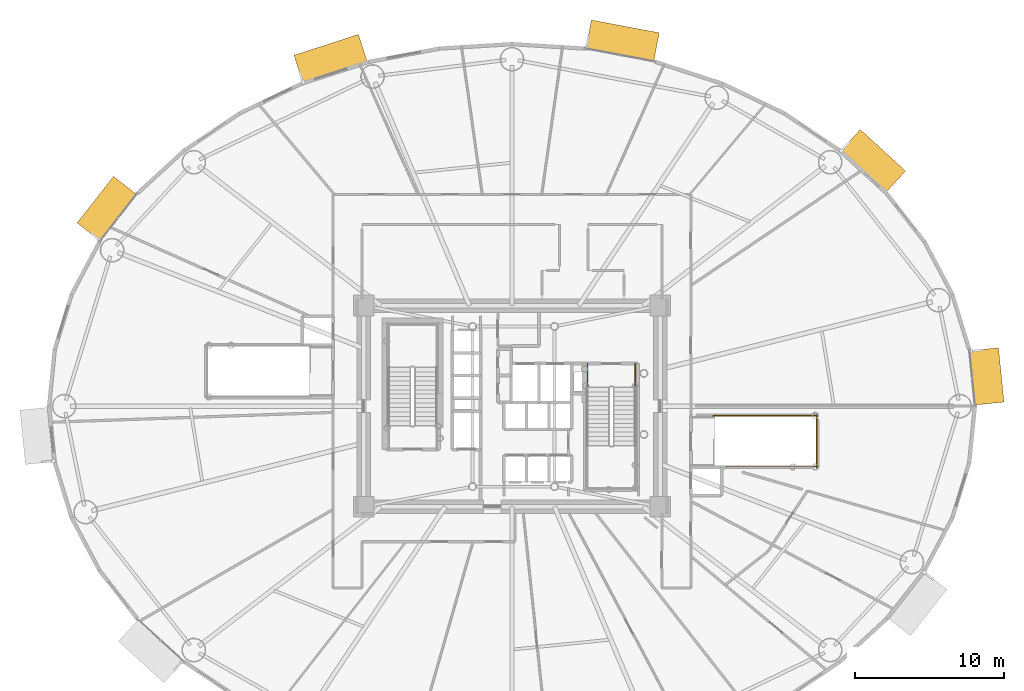
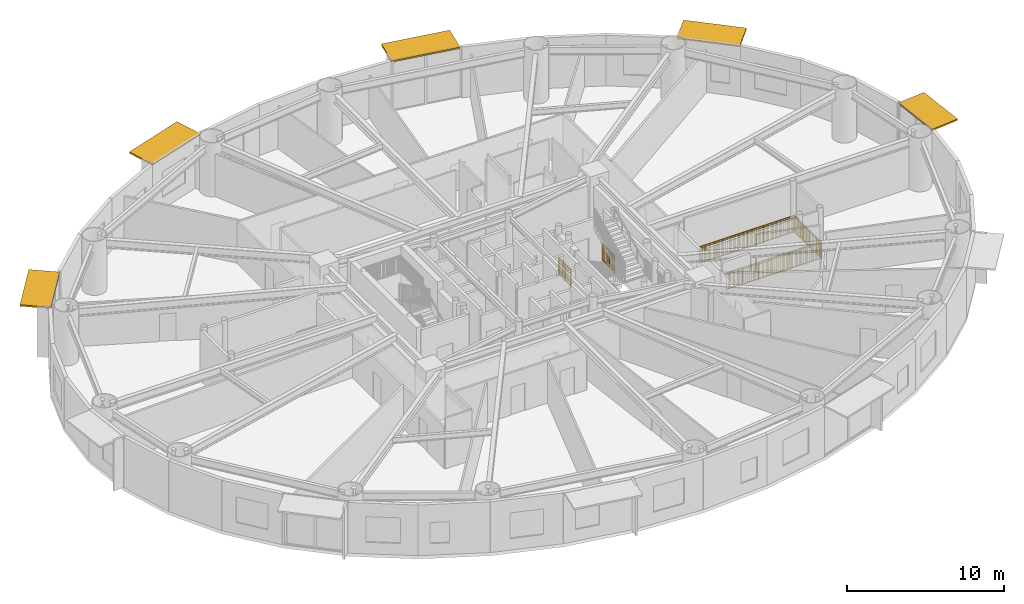
# One storey, part 28 of 28: 5 railings, 5 shading devices.
"""IFC4 building model written with IfcOpenShell, lengths in metres."""

import ifcopenshell
import ifcopenshell.guid

model = None  # the IFC model being written
_history = None  # IfcOwnerHistory: only IFC2X3 demands one
_inside = {}  # id of a spatial element -> (the spatial element, [elements in it])
_under = {}  # id of a project, library or spatial element -> (it, [spatial elements below it])
_declared = {}  # id of a project -> (the project, [libraries it declares])
_typed = {}  # id of a type object -> (the type object, [elements of that type])
_made_of = {}  # id of a material, layer set ... -> (it, [elements and type objects made of it])


def new_model(schema):
    """Start an empty IFC model of exactly this schema.

    Asked for "IFC4X3", IfcOpenShell would pick the latest addendum, in which some entities
    have other attributes; the version numbers below select the first issue.
    IFC2X3 requires an IfcOwnerHistory on every rooted entity: one is made here for all.
    """
    global model, _history
    if schema == "IFC4X3":
        model = ifcopenshell.file(schema_version=(4, 3, 0, 0))
    else:
        model = ifcopenshell.file(schema=schema)
    _inside.clear()
    _under.clear()
    _declared.clear()
    _typed.clear()
    _made_of.clear()
    _history = None
    if model.schema == "IFC2X3":
        org = make("IfcOrganization", Name="unknown")
        user = make(
            "IfcPersonAndOrganization",
            ThePerson=make("IfcPerson", FamilyName="unknown"),
            TheOrganization=org,
        )
        app = make(
            "IfcApplication",
            ApplicationDeveloper=org,
            Version="unknown",
            ApplicationFullName="unknown",
            ApplicationIdentifier="unknown",
        )
        _history = make(
            "IfcOwnerHistory",
            OwningUser=user,
            OwningApplication=app,
            ChangeAction="ADDED",
            CreationDate=0,
        )
    return model


def make(cls, **values):
    """One entity of the class cls with the attributes given. An attribute that is None is left unset."""
    return model.create_entity(
        cls, **{name: value for name, value in values.items() if value is not None}
    )


def rooted(cls, **values):
    """An entity with a GlobalId (a new one), such as an element, a storey or a relation."""
    return make(cls, GlobalId=ifcopenshell.guid.new(), OwnerHistory=_history, **values)


def si_unit(unit_type, name, prefix=None):
    """IfcSIUnit, for example si_unit("LENGTHUNIT", "METRE", prefix="MILLI")."""
    return make("IfcSIUnit", UnitType=unit_type, Prefix=prefix, Name=name)


def assignment(units):
    """IfcUnitAssignment: the units of a project."""
    return None if units is None else make("IfcUnitAssignment", Units=units)


def point(xyz):
    """IfcCartesianPoint."""
    return None if xyz is None else make("IfcCartesianPoint", Coordinates=xyz)


def direction(xyz):
    """IfcDirection."""
    return None if xyz is None else make("IfcDirection", DirectionRatios=xyz)


def frame(location, z_axis=None, x_axis=None):
    """IfcAxis2Placement3D, a coordinate frame: its origin and axes. An axis left out is left unset."""
    return make(
        "IfcAxis2Placement3D",
        Location=point(location),
        Axis=direction(z_axis),
        RefDirection=direction(x_axis),
    )


def frame_2d(location, x_axis=None):
    """IfcAxis2Placement2D, a coordinate frame in the plane: its origin and x axis."""
    return make(
        "IfcAxis2Placement2D", Location=point(location), RefDirection=direction(x_axis)
    )


def origin():
    """The frame at (0, 0, 0) with its axes left unset."""
    return frame((0.0, 0.0, 0.0))


def origin_2d():
    """The frame at (0, 0) in the plane with its x axis left unset."""
    return frame_2d((0.0, 0.0))


def place(relative_to, where):
    """IfcLocalPlacement: puts the frame where relative to a parent placement (None: the world)."""
    return make(
        "IfcLocalPlacement", PlacementRelTo=relative_to, RelativePlacement=where
    )


def context(
    kind, dimensions, precision=None, world=None, true_north=None, identifier=None
):
    """IfcGeometricRepresentationContext, for example the 3D "Model" context."""
    return make(
        "IfcGeometricRepresentationContext",
        ContextIdentifier=identifier,
        ContextType=kind,
        CoordinateSpaceDimension=dimensions,
        Precision=precision,
        WorldCoordinateSystem=world,
        TrueNorth=true_north,
    )


def subcontext(parent, identifier, kind, view, scale=None):
    """IfcGeometricRepresentationSubContext, for example "Body" below "Model"."""
    return make(
        "IfcGeometricRepresentationSubContext",
        ContextIdentifier=identifier,
        ContextType=kind,
        ParentContext=parent,
        TargetScale=scale,
        TargetView=view,
    )


def project(units=None, contexts=None):
    """IfcProject with its units and contexts."""
    return rooted(
        "IfcProject",
        Name="project",
        RepresentationContexts=contexts,
        UnitsInContext=assignment(units),
    )


def spatial(cls, under=None, at=None, **own):
    """A site, building, storey or space (cls), placed at a placement, below another one or the project."""
    s = rooted(cls, ObjectPlacement=at, **own)
    if under is not None:
        _under.setdefault(under.id(), (under, []))[1].append(s)
    return s


def profile(cls, at=None, kind="AREA", **sizes):
    """A parametric profile (cls). Its sizes go by their IFC names, for example OverallWidth=200.0."""
    return make(cls, ProfileType=kind, Position=at, **sizes)


def rectangle(**sizes):
    """IfcRectangleProfileDef."""
    return profile("IfcRectangleProfileDef", **sizes)


def extrude(swept, where, along, depth):
    """IfcExtrudedAreaSolid: the profile swept, set in the frame where, extruded along a direction by depth."""
    return make(
        "IfcExtrudedAreaSolid",
        SweptArea=swept,
        Position=where,
        ExtrudedDirection=direction(along),
        Depth=depth,
    )


def shape(context_of_items, identifier, shape_type, items):
    """IfcShapeRepresentation: the items that make up one representation, for example the "Body"."""
    return make(
        "IfcShapeRepresentation",
        ContextOfItems=context_of_items,
        RepresentationIdentifier=identifier,
        RepresentationType=shape_type,
        Items=items,
    )


def source(mapping_origin, context_of_items, identifier, shape_type, items):
    """IfcRepresentationMap: a shape defined once, which mapped items show again and again."""
    return make(
        "IfcRepresentationMap",
        MappingOrigin=mapping_origin,
        MappedRepresentation=shape(context_of_items, identifier, shape_type, items),
    )


def transform(
    local_origin,
    x_axis=None,
    y_axis=None,
    z_axis=None,
    scale=None,
    scale2=None,
    scale3=None,
    uniform=True,
):
    """IfcCartesianTransformationOperator3D, or its non-uniform kind. x_axis, y_axis, z_axis: its Axis1, 2, 3."""
    if uniform:
        return make(
            "IfcCartesianTransformationOperator3D",
            Axis1=direction(x_axis),
            Axis2=direction(y_axis),
            LocalOrigin=point(local_origin),
            Scale=scale,
            Axis3=direction(z_axis),
        )
    return make(
        "IfcCartesianTransformationOperator3DnonUniform",
        Axis1=direction(x_axis),
        Axis2=direction(y_axis),
        LocalOrigin=point(local_origin),
        Scale=scale,
        Axis3=direction(z_axis),
        Scale2=scale2,
        Scale3=scale3,
    )


def mapped(mapping_source, mapping_target):
    """IfcMappedItem: shows the shape of a source again, moved by a transform."""
    return make(
        "IfcMappedItem", MappingSource=mapping_source, MappingTarget=mapping_target
    )


def material(Name=None, Category=None):
    """IfcMaterial."""
    return make("IfcMaterial", Name=Name, Category=Category)


def layer(
    of_material, thickness, ventilated=None, Name=None, Category=None, Priority=None
):
    """IfcMaterialLayer: one layer of a wall or slab, of a material (None: an air gap)."""
    return make(
        "IfcMaterialLayer",
        Material=of_material,
        LayerThickness=thickness,
        IsVentilated=ventilated,
        Name=Name,
        Category=Category,
        Priority=Priority,
    )


def layer_set(layers, Name=None):
    """IfcMaterialLayerSet."""
    return make("IfcMaterialLayerSet", MaterialLayers=layers, LayerSetName=Name)


def made_of(thing, what):
    """Note that an element or type object is made of a material, layer set ...; save() writes the relation."""
    if what is not None:
        _made_of.setdefault(what.id(), (what, []))[1].append(thing)
    return thing


def type_object(cls, material=None, **own):
    """A type object (cls), such as IfcWallType, which elements share."""
    return made_of(rooted(cls, **own), material)


def element(
    cls,
    number,
    at=None,
    inside=None,
    cuts=None,
    type_object=None,
    material=None,
    context=None,
    identifier="Body",
    shape_type=None,
    held_by="IfcProductDefinitionShape",
    body=None,
    shapes=None,
    **own,
):
    """One element of the class cls, such as IfcWall. Its Tag is "e" and its number.

    at: its placement. inside: the storey or other place that contains it. cuts: it is an
    opening in that element (IfcRelVoidsElement). A single representation is given by context,
    identifier, shape_type and body (its items); several are given by shapes. held_by: the class
    of the entity that holds the representations. save() writes the other relations.
    """
    e = rooted(cls, Tag="e%d" % number, ObjectPlacement=at, **own)
    if body is not None:
        shapes = [shape(context, identifier, shape_type, body)]
    if shapes is not None:
        e.Representation = make(held_by, Representations=shapes)
    if inside is not None:
        _inside.setdefault(inside.id(), (inside, []))[1].append(e)
    if cuts is not None:
        rooted(
            "IfcRelVoidsElement", RelatingBuildingElement=cuts, RelatedOpeningElement=e
        )
    if type_object is not None:
        _typed.setdefault(type_object.id(), (type_object, []))[1].append(e)
    return made_of(e, material)


def aggregate(whole, parts):
    """IfcRelAggregates: a whole, such as a stair, and the parts it consists of."""
    return rooted("IfcRelAggregates", RelatingObject=whole, RelatedObjects=parts)


def save(model, path):
    """Write the relations noted so far, then the file.

    IfcRelAggregates (storeys below a building ...), IfcRelContainedInSpatialStructure (elements
    in a storey), IfcRelDefinesByType, IfcRelAssociatesMaterial and IfcRelDeclares: one each for
    every whole, place, type object, material and project.
    """
    for whole, parts in _under.values():
        aggregate(whole, parts)
    for where, things in _inside.values():
        rooted(
            "IfcRelContainedInSpatialStructure",
            RelatedElements=things,
            RelatingStructure=where,
        )
    for kind, things in _typed.values():
        rooted("IfcRelDefinesByType", RelatedObjects=things, RelatingType=kind)
    for what, things in _made_of.values():
        rooted("IfcRelAssociatesMaterial", RelatedObjects=things, RelatingMaterial=what)
    for by, libraries in _declared.values():
        rooted("IfcRelDeclares", RelatingContext=by, RelatedDefinitions=libraries)
    model.write(path)


model = new_model("IFC4")

# Units and contexts
model_context = context("Model", 3, precision=1e-05, world=origin(), true_north=direction((0.0, 1.0)))
body_context = subcontext(model_context, "Body", "Model", "MODEL_VIEW")
ifc_project = project(units=[si_unit("LENGTHUNIT", "METRE"), si_unit("AREAUNIT", "SQUARE_METRE"), si_unit("VOLUMEUNIT", "CUBIC_METRE"), si_unit("PLANEANGLEUNIT", "RADIAN"), si_unit("MASSUNIT", "GRAM", prefix="KILO")], contexts=[model_context])

# Site, building, storey
site_placement = place(None, origin())
site = spatial("IfcSite", under=ifc_project, at=site_placement, CompositionType="ELEMENT")
building_placement = place(site_placement, origin())
building = spatial("IfcBuilding", under=site, at=building_placement, Name="Linh Dai School and Residence Tower", CompositionType="ELEMENT")
storey_placement = place(building_placement, frame((0.0, 0.0, 57.60009765625)))
storey = spatial("IfcBuildingStorey", under=building, at=storey_placement, Name="L13", CompositionType="ELEMENT", Elevation=57.60009765625)

# Shading devices
ifc_material_1 = material(Name="Terracotta Ceramic Sunshade", Category="masonry")
ifc_layer = layer(ifc_material_1, 0.1201171875)
ifc_layer_set = layer_set([ifc_layer], Name="Terracotta Ceramic Sunshade")
shading_device_type = type_object("IfcShadingDeviceType", Name="SHD-TC-2000", PredefinedType="USERDEFINED", material=ifc_layer_set)
shared_shape_1 = source(origin(), body_context, "Body", "SweptSolid", [
    extrude(rectangle(XDim=3.663330078125, YDim=2.0, at=origin_2d()), origin(), (0.0, 0.0, 1.0), 0.1201171875),
])
shading_device_1_placement = place(storey_placement, frame((67.83935546875, 28.994384765625, 3.809814453125), z_axis=(0.0, 0.0, 1.0), x_axis=(0.100009387998, -0.994986493533, 0.0)))
element("IfcShadingDevice", 1, at=shading_device_1_placement, inside=storey, type_object=shading_device_type, Name="L13 Terracotta Horizontal Sunshade Band 01", ObjectType="SUNSHADE", PredefinedType="USERDEFINED", context=body_context, shape_type="MappedRepresentation", body=[
    mapped(shared_shape_1, transform((0.0, 0.0, 0.0), x_axis=(1.0, 0.0, 0.0), y_axis=(0.0, 1.0, 0.0), z_axis=(0.0, 0.0, 1.0), scale=1.0)),
])
shared_shape_2 = source(origin(), body_context, "Body", "SweptSolid", [
    extrude(rectangle(XDim=4.1220703125, YDim=2.0, at=origin_2d()), origin(), (0.0, 0.0, 1.0), 0.1201171875),
])
shading_device_2_placement = place(storey_placement, frame((60.2158203125, 43.43310546875, 3.809814453125), z_axis=(0.0, 0.0, 1.0), x_axis=(0.737113246362, -0.675769237268, 0.0)))
element("IfcShadingDevice", 2, at=shading_device_2_placement, inside=storey, type_object=shading_device_type, Name="L13 Terracotta Horizontal Sunshade Band 05", ObjectType="SUNSHADE", PredefinedType="USERDEFINED", context=body_context, shape_type="MappedRepresentation", body=[
    mapped(shared_shape_2, transform((0.0, 0.0, 0.0), x_axis=(1.0, 0.0, 0.0), y_axis=(0.0, 1.0, 0.0), z_axis=(0.0, 0.0, 1.0), scale=1.0)),
])
shared_shape_3 = source(origin(), body_context, "Body", "SweptSolid", [
    extrude(rectangle(XDim=4.635009765625, YDim=2.0, at=origin_2d()), origin(), (0.0, 0.0, 1.0), 0.1201171875),
])
shading_device_3_placement = place(storey_placement, frame((43.415283203125, 51.502685546875, 3.809814453125), z_axis=(0.0, 0.0, 1.0), x_axis=(0.982785935675, -0.184747948944, 0.0)))
element("IfcShadingDevice", 3, at=shading_device_3_placement, inside=storey, type_object=shading_device_type, Name="L13 Terracotta Horizontal Sunshade Band 09", ObjectType="SUNSHADE", PredefinedType="USERDEFINED", context=body_context, shape_type="MappedRepresentation", body=[
    mapped(shared_shape_3, transform((0.0, 0.0, 0.0), x_axis=(1.0, 0.0, 0.0), y_axis=(0.0, 1.0, 0.0), z_axis=(0.0, 0.0, 1.0), scale=1.0)),
])
shared_shape_4 = source(origin(), body_context, "Body", "SweptSolid", [
    extrude(rectangle(XDim=4.54931640625, YDim=2.0, at=origin_2d()), origin(), (0.0, 0.0, 1.0), 0.1201171875),
])
shading_device_4_placement = place(storey_placement, frame((23.839599609375, 50.29541015625, 3.809814453125), z_axis=(0.0, 0.0, 1.0), x_axis=(0.951220777043, 0.308510993844, 0.0)))
element("IfcShadingDevice", 4, at=shading_device_4_placement, inside=storey, type_object=shading_device_type, Name="L13 Terracotta Horizontal Sunshade Band 13", ObjectType="SUNSHADE", PredefinedType="USERDEFINED", context=body_context, shape_type="MappedRepresentation", body=[
    mapped(shared_shape_4, transform((0.0, 0.0, 0.0), x_axis=(1.0, 0.0, 0.0), y_axis=(0.0, 1.0, 0.0), z_axis=(0.0, 0.0, 1.0), scale=1.0)),
])
shared_shape_5 = source(origin(), body_context, "Body", "SweptSolid", [
    extrude(rectangle(XDim=3.964111328125, YDim=2.0, at=origin_2d()), origin(), (0.0, 0.0, 1.0), 0.1201171875),
])
shading_device_5_placement = place(storey_placement, frame((8.82177734375, 40.240478515625, 3.809814453125), z_axis=(0.0, 0.0, 1.0), x_axis=(0.616319427785, 0.787496262172, 0.0)))
element("IfcShadingDevice", 5, at=shading_device_5_placement, inside=storey, type_object=shading_device_type, Name="L13 Terracotta Horizontal Sunshade Band 17", ObjectType="SUNSHADE", PredefinedType="USERDEFINED", context=body_context, shape_type="MappedRepresentation", body=[
    mapped(shared_shape_5, transform((0.0, 0.0, 0.0), x_axis=(1.0, 0.0, 0.0), y_axis=(0.0, 1.0, 0.0), z_axis=(0.0, 0.0, 1.0), scale=1.0)),
])

# Railings
ifc_material_2 = material(Name="Structural Steel S355JR", Category="steel")
railing_type = type_object("IfcRailingType", Name="RL-ST-GUARD-1400", PredefinedType="GUARDRAIL", material=ifc_material_2)
shared_shape_6 = source(origin(), body_context, "Body", "SweptSolid", [
    extrude(rectangle(XDim=0.048095703125, YDim=0.048095703125, at=origin_2d()), frame((0.0, 0.0, 1.3759765625), z_axis=(0.0, -1.0, 0.0), x_axis=(1.0, 0.0, 0.0)), (0.0, 0.0, 1.0), 1.60009765625),
    extrude(rectangle(XDim=0.048095703125, YDim=0.048095703125, at=origin_2d()), frame((0.0, 0.0, 0.10009765625), z_axis=(0.0, -1.0, 0.0), x_axis=(1.0, 0.0, 0.0)), (0.0, 0.0, 1.0), 1.60009765625),
    extrude(rectangle(XDim=0.030029296875, YDim=0.030029296875, at=origin_2d()), frame((0.0, 0.0, 1.239990234375), z_axis=(0.0, -1.0, 0.0), x_axis=(1.0, 0.0, 0.0)), (0.0, 0.0, 1.0), 1.60009765625),
    extrude(rectangle(XDim=0.02001953125, YDim=0.02001953125, at=origin_2d()), frame((0.0, -0.09423828125, 0.10009765625)), (0.0, 0.0, 1.0), 1.251708984375),
    extrude(rectangle(XDim=0.02001953125, YDim=0.02001953125, at=origin_2d()), frame((0.0, -0.188232421875, 0.10009765625)), (0.0, 0.0, 1.0), 1.251708984375),
    extrude(rectangle(XDim=0.02001953125, YDim=0.02001953125, at=origin_2d()), frame((0.0, -0.282470703125, 0.10009765625)), (0.0, 0.0, 1.0), 1.251708984375),
    extrude(rectangle(XDim=0.02001953125, YDim=0.02001953125, at=origin_2d()), frame((0.0, -0.37646484375, 0.10009765625)), (0.0, 0.0, 1.0), 1.251708984375),
    extrude(rectangle(XDim=0.02001953125, YDim=0.02001953125, at=origin_2d()), frame((0.0, -0.470703125, 0.10009765625)), (0.0, 0.0, 1.0), 1.251708984375),
    extrude(rectangle(XDim=0.02001953125, YDim=0.02001953125, at=origin_2d()), frame((0.0, -0.564697265625, 0.10009765625)), (0.0, 0.0, 1.0), 1.251708984375),
    extrude(rectangle(XDim=0.02001953125, YDim=0.02001953125, at=origin_2d()), frame((0.0, -0.658935546875, 0.10009765625)), (0.0, 0.0, 1.0), 1.251708984375),
    extrude(rectangle(XDim=0.02001953125, YDim=0.02001953125, at=origin_2d()), frame((0.0, -0.7529296875, 0.10009765625)), (0.0, 0.0, 1.0), 1.251708984375),
    extrude(rectangle(XDim=0.02001953125, YDim=0.02001953125, at=origin_2d()), frame((0.0, -0.84716796875, 0.10009765625)), (0.0, 0.0, 1.0), 1.251708984375),
    extrude(rectangle(XDim=0.02001953125, YDim=0.02001953125, at=origin_2d()), frame((0.0, -0.941162109375, 0.10009765625)), (0.0, 0.0, 1.0), 1.251708984375),
    extrude(rectangle(XDim=0.02001953125, YDim=0.02001953125, at=origin_2d()), frame((0.0, -1.035400390625, 0.10009765625)), (0.0, 0.0, 1.0), 1.251708984375),
    extrude(rectangle(XDim=0.02001953125, YDim=0.02001953125, at=origin_2d()), frame((0.0, -1.12939453125, 0.10009765625)), (0.0, 0.0, 1.0), 1.251708984375),
    extrude(rectangle(XDim=0.02001953125, YDim=0.02001953125, at=origin_2d()), frame((0.0, -1.2236328125, 0.10009765625)), (0.0, 0.0, 1.0), 1.251708984375),
    extrude(rectangle(XDim=0.02001953125, YDim=0.02001953125, at=origin_2d()), frame((0.0, -1.317626953125, 0.10009765625)), (0.0, 0.0, 1.0), 1.251708984375),
    extrude(rectangle(XDim=0.02001953125, YDim=0.02001953125, at=origin_2d()), frame((0.0, -1.411865234375, 0.10009765625)), (0.0, 0.0, 1.0), 1.251708984375),
    extrude(rectangle(XDim=0.02001953125, YDim=0.02001953125, at=origin_2d()), frame((0.0, -1.505859375, 0.10009765625)), (0.0, 0.0, 1.0), 1.251708984375),
    extrude(rectangle(XDim=0.0419921875, YDim=0.0419921875, at=origin_2d()), origin(), (0.0, 0.0, 1.0), 1.3759765625),
    extrude(rectangle(XDim=0.0419921875, YDim=0.0419921875, at=origin_2d()), frame((0.0, -0.800048828125, 0.0)), (0.0, 0.0, 1.0), 1.3759765625),
    extrude(rectangle(XDim=0.0419921875, YDim=0.0419921875, at=origin_2d()), frame((0.0, -1.60009765625, 0.0)), (0.0, 0.0, 1.0), 1.3759765625),
])
for number, where, name in (
    (6, (41.070068359375, 29.85009765625, 0.0), "L13 ST2 stair guard 8"),
    (7, (44.27001953125, 29.85009765625, 0.0), "L13 ST2 stair guard 9"),
):
    element("IfcRailing", number, at=place(storey_placement, frame(where)), inside=storey, type_object=railing_type, Name=name, PredefinedType="GUARDRAIL", context=body_context, shape_type="MappedRepresentation", body=[
        mapped(shared_shape_6, transform((0.0, 0.0, 0.0), x_axis=(1.0, 0.0, 0.0), y_axis=(0.0, 1.0, 0.0), z_axis=(0.0, 0.0, 1.0), scale=1.0)),
    ])
shared_shape_7 = source(origin(), body_context, "Body", "SweptSolid", [
    extrude(rectangle(XDim=0.048095703125, YDim=0.048095703125, at=origin_2d()), frame((0.0, 0.0, 1.3759765625), z_axis=(1.0, 0.0, 0.0), x_axis=(0.0, 1.0, 0.0)), (0.0, 0.0, 1.0), 7.0),
    extrude(rectangle(XDim=0.048095703125, YDim=0.048095703125, at=origin_2d()), frame((0.0, 0.0, 0.10009765625), z_axis=(1.0, 0.0, 0.0), x_axis=(0.0, 1.0, 0.0)), (0.0, 0.0, 1.0), 7.0),
    extrude(rectangle(XDim=0.030029296875, YDim=0.030029296875, at=origin_2d()), frame((0.0, 0.0, 1.239990234375), z_axis=(1.0, 0.0, 0.0), x_axis=(0.0, 1.0, 0.0)), (0.0, 0.0, 1.0), 7.0),
    extrude(rectangle(XDim=0.02001953125, YDim=0.02001953125, at=origin_2d()), frame((0.09716796875, 0.0, 0.10009765625)), (0.0, 0.0, 1.0), 1.251708984375),
    extrude(rectangle(XDim=0.02001953125, YDim=0.02001953125, at=origin_2d()), frame((0.1943359375, 0.0, 0.10009765625)), (0.0, 0.0, 1.0), 1.251708984375),
    extrude(rectangle(XDim=0.02001953125, YDim=0.02001953125, at=origin_2d()), frame((0.291748046875, 0.0, 0.10009765625)), (0.0, 0.0, 1.0), 1.251708984375),
    extrude(rectangle(XDim=0.02001953125, YDim=0.02001953125, at=origin_2d()), frame((0.388916015625, 0.0, 0.10009765625)), (0.0, 0.0, 1.0), 1.251708984375),
    extrude(rectangle(XDim=0.02001953125, YDim=0.02001953125, at=origin_2d()), frame((0.486083984375, 0.0, 0.10009765625)), (0.0, 0.0, 1.0), 1.251708984375),
    extrude(rectangle(XDim=0.02001953125, YDim=0.02001953125, at=origin_2d()), frame((0.583251953125, 0.0, 0.10009765625)), (0.0, 0.0, 1.0), 1.251708984375),
    extrude(rectangle(XDim=0.02001953125, YDim=0.02001953125, at=origin_2d()), frame((0.6806640625, 0.0, 0.10009765625)), (0.0, 0.0, 1.0), 1.251708984375),
    extrude(rectangle(XDim=0.02001953125, YDim=0.02001953125, at=origin_2d()), frame((0.77783203125, 0.0, 0.10009765625)), (0.0, 0.0, 1.0), 1.251708984375),
    extrude(rectangle(XDim=0.02001953125, YDim=0.02001953125, at=origin_2d()), frame((0.875, 0.0, 0.10009765625)), (0.0, 0.0, 1.0), 1.251708984375),
    extrude(rectangle(XDim=0.02001953125, YDim=0.02001953125, at=origin_2d()), frame((0.97216796875, 0.0, 0.10009765625)), (0.0, 0.0, 1.0), 1.251708984375),
    extrude(rectangle(XDim=0.02001953125, YDim=0.02001953125, at=origin_2d()), frame((1.0693359375, 0.0, 0.10009765625)), (0.0, 0.0, 1.0), 1.251708984375),
    extrude(rectangle(XDim=0.02001953125, YDim=0.02001953125, at=origin_2d()), frame((1.263916015625, 0.0, 0.10009765625)), (0.0, 0.0, 1.0), 1.251708984375),
    extrude(rectangle(XDim=0.02001953125, YDim=0.02001953125, at=origin_2d()), frame((1.361083984375, 0.0, 0.10009765625)), (0.0, 0.0, 1.0), 1.251708984375),
    extrude(rectangle(XDim=0.02001953125, YDim=0.02001953125, at=origin_2d()), frame((1.458251953125, 0.0, 0.10009765625)), (0.0, 0.0, 1.0), 1.251708984375),
    extrude(rectangle(XDim=0.02001953125, YDim=0.02001953125, at=origin_2d()), frame((1.5556640625, 0.0, 0.10009765625)), (0.0, 0.0, 1.0), 1.251708984375),
    extrude(rectangle(XDim=0.02001953125, YDim=0.02001953125, at=origin_2d()), frame((1.65283203125, 0.0, 0.10009765625)), (0.0, 0.0, 1.0), 1.251708984375),
    extrude(rectangle(XDim=0.02001953125, YDim=0.02001953125, at=origin_2d()), frame((1.75, 0.0, 0.10009765625)), (0.0, 0.0, 1.0), 1.251708984375),
    extrude(rectangle(XDim=0.02001953125, YDim=0.02001953125, at=origin_2d()), frame((1.84716796875, 0.0, 0.10009765625)), (0.0, 0.0, 1.0), 1.251708984375),
    extrude(rectangle(XDim=0.02001953125, YDim=0.02001953125, at=origin_2d()), frame((1.9443359375, 0.0, 0.10009765625)), (0.0, 0.0, 1.0), 1.251708984375),
    extrude(rectangle(XDim=0.02001953125, YDim=0.02001953125, at=origin_2d()), frame((2.041748046875, 0.0, 0.10009765625)), (0.0, 0.0, 1.0), 1.251708984375),
    extrude(rectangle(XDim=0.02001953125, YDim=0.02001953125, at=origin_2d()), frame((2.138916015625, 0.0, 0.10009765625)), (0.0, 0.0, 1.0), 1.251708984375),
    extrude(rectangle(XDim=0.02001953125, YDim=0.02001953125, at=origin_2d()), frame((2.236083984375, 0.0, 0.10009765625)), (0.0, 0.0, 1.0), 1.251708984375),
    extrude(rectangle(XDim=0.02001953125, YDim=0.02001953125, at=origin_2d()), frame((2.4306640625, 0.0, 0.10009765625)), (0.0, 0.0, 1.0), 1.251708984375),
    extrude(rectangle(XDim=0.02001953125, YDim=0.02001953125, at=origin_2d()), frame((2.52783203125, 0.0, 0.10009765625)), (0.0, 0.0, 1.0), 1.251708984375),
    extrude(rectangle(XDim=0.02001953125, YDim=0.02001953125, at=origin_2d()), frame((2.625, 0.0, 0.10009765625)), (0.0, 0.0, 1.0), 1.251708984375),
    extrude(rectangle(XDim=0.02001953125, YDim=0.02001953125, at=origin_2d()), frame((2.72216796875, 0.0, 0.10009765625)), (0.0, 0.0, 1.0), 1.251708984375),
    extrude(rectangle(XDim=0.02001953125, YDim=0.02001953125, at=origin_2d()), frame((2.8193359375, 0.0, 0.10009765625)), (0.0, 0.0, 1.0), 1.251708984375),
    extrude(rectangle(XDim=0.02001953125, YDim=0.02001953125, at=origin_2d()), frame((2.916748046875, 0.0, 0.10009765625)), (0.0, 0.0, 1.0), 1.251708984375),
    extrude(rectangle(XDim=0.02001953125, YDim=0.02001953125, at=origin_2d()), frame((3.013916015625, 0.0, 0.10009765625)), (0.0, 0.0, 1.0), 1.251708984375),
    extrude(rectangle(XDim=0.02001953125, YDim=0.02001953125, at=origin_2d()), frame((3.111083984375, 0.0, 0.10009765625)), (0.0, 0.0, 1.0), 1.251708984375),
    extrude(rectangle(XDim=0.02001953125, YDim=0.02001953125, at=origin_2d()), frame((3.208251953125, 0.0, 0.10009765625)), (0.0, 0.0, 1.0), 1.251708984375),
    extrude(rectangle(XDim=0.02001953125, YDim=0.02001953125, at=origin_2d()), frame((3.3056640625, 0.0, 0.10009765625)), (0.0, 0.0, 1.0), 1.251708984375),
    extrude(rectangle(XDim=0.02001953125, YDim=0.02001953125, at=origin_2d()), frame((3.40283203125, 0.0, 0.10009765625)), (0.0, 0.0, 1.0), 1.251708984375),
    extrude(rectangle(XDim=0.02001953125, YDim=0.02001953125, at=origin_2d()), frame((3.59716796875, 0.0, 0.10009765625)), (0.0, 0.0, 1.0), 1.251708984375),
    extrude(rectangle(XDim=0.02001953125, YDim=0.02001953125, at=origin_2d()), frame((3.6943359375, 0.0, 0.10009765625)), (0.0, 0.0, 1.0), 1.251708984375),
    extrude(rectangle(XDim=0.02001953125, YDim=0.02001953125, at=origin_2d()), frame((3.791748046875, 0.0, 0.10009765625)), (0.0, 0.0, 1.0), 1.251708984375),
    extrude(rectangle(XDim=0.02001953125, YDim=0.02001953125, at=origin_2d()), frame((3.888916015625, 0.0, 0.10009765625)), (0.0, 0.0, 1.0), 1.251708984375),
    extrude(rectangle(XDim=0.02001953125, YDim=0.02001953125, at=origin_2d()), frame((3.986083984375, 0.0, 0.10009765625)), (0.0, 0.0, 1.0), 1.251708984375),
    extrude(rectangle(XDim=0.02001953125, YDim=0.02001953125, at=origin_2d()), frame((4.083251953125, 0.0, 0.10009765625)), (0.0, 0.0, 1.0), 1.251708984375),
    extrude(rectangle(XDim=0.02001953125, YDim=0.02001953125, at=origin_2d()), frame((4.1806640625, 0.0, 0.10009765625)), (0.0, 0.0, 1.0), 1.251708984375),
    extrude(rectangle(XDim=0.02001953125, YDim=0.02001953125, at=origin_2d()), frame((4.27783203125, 0.0, 0.10009765625)), (0.0, 0.0, 1.0), 1.251708984375),
    extrude(rectangle(XDim=0.02001953125, YDim=0.02001953125, at=origin_2d()), frame((4.375, 0.0, 0.10009765625)), (0.0, 0.0, 1.0), 1.251708984375),
    extrude(rectangle(XDim=0.02001953125, YDim=0.02001953125, at=origin_2d()), frame((4.47216796875, 0.0, 0.10009765625)), (0.0, 0.0, 1.0), 1.251708984375),
    extrude(rectangle(XDim=0.02001953125, YDim=0.02001953125, at=origin_2d()), frame((4.5693359375, 0.0, 0.10009765625)), (0.0, 0.0, 1.0), 1.251708984375),
    extrude(rectangle(XDim=0.02001953125, YDim=0.02001953125, at=origin_2d()), frame((4.763916015625, 0.0, 0.10009765625)), (0.0, 0.0, 1.0), 1.251708984375),
    extrude(rectangle(XDim=0.02001953125, YDim=0.02001953125, at=origin_2d()), frame((4.861083984375, 0.0, 0.10009765625)), (0.0, 0.0, 1.0), 1.251708984375),
    extrude(rectangle(XDim=0.02001953125, YDim=0.02001953125, at=origin_2d()), frame((4.958251953125, 0.0, 0.10009765625)), (0.0, 0.0, 1.0), 1.251708984375),
    extrude(rectangle(XDim=0.02001953125, YDim=0.02001953125, at=origin_2d()), frame((5.0556640625, 0.0, 0.10009765625)), (0.0, 0.0, 1.0), 1.251708984375),
    extrude(rectangle(XDim=0.02001953125, YDim=0.02001953125, at=origin_2d()), frame((5.15283203125, 0.0, 0.10009765625)), (0.0, 0.0, 1.0), 1.251708984375),
    extrude(rectangle(XDim=0.02001953125, YDim=0.02001953125, at=origin_2d()), frame((5.25, 0.0, 0.10009765625)), (0.0, 0.0, 1.0), 1.251708984375),
    extrude(rectangle(XDim=0.02001953125, YDim=0.02001953125, at=origin_2d()), frame((5.34716796875, 0.0, 0.10009765625)), (0.0, 0.0, 1.0), 1.251708984375),
    extrude(rectangle(XDim=0.02001953125, YDim=0.02001953125, at=origin_2d()), frame((5.4443359375, 0.0, 0.10009765625)), (0.0, 0.0, 1.0), 1.251708984375),
    extrude(rectangle(XDim=0.02001953125, YDim=0.02001953125, at=origin_2d()), frame((5.541748046875, 0.0, 0.10009765625)), (0.0, 0.0, 1.0), 1.251708984375),
    extrude(rectangle(XDim=0.02001953125, YDim=0.02001953125, at=origin_2d()), frame((5.638916015625, 0.0, 0.10009765625)), (0.0, 0.0, 1.0), 1.251708984375),
    extrude(rectangle(XDim=0.02001953125, YDim=0.02001953125, at=origin_2d()), frame((5.736083984375, 0.0, 0.10009765625)), (0.0, 0.0, 1.0), 1.251708984375),
    extrude(rectangle(XDim=0.02001953125, YDim=0.02001953125, at=origin_2d()), frame((5.9306640625, 0.0, 0.10009765625)), (0.0, 0.0, 1.0), 1.251708984375),
    extrude(rectangle(XDim=0.02001953125, YDim=0.02001953125, at=origin_2d()), frame((6.02783203125, 0.0, 0.10009765625)), (0.0, 0.0, 1.0), 1.251708984375),
    extrude(rectangle(XDim=0.02001953125, YDim=0.02001953125, at=origin_2d()), frame((6.125, 0.0, 0.10009765625)), (0.0, 0.0, 1.0), 1.251708984375),
    extrude(rectangle(XDim=0.02001953125, YDim=0.02001953125, at=origin_2d()), frame((6.22216796875, 0.0, 0.10009765625)), (0.0, 0.0, 1.0), 1.251708984375),
    extrude(rectangle(XDim=0.02001953125, YDim=0.02001953125, at=origin_2d()), frame((6.3193359375, 0.0, 0.10009765625)), (0.0, 0.0, 1.0), 1.251708984375),
    extrude(rectangle(XDim=0.02001953125, YDim=0.02001953125, at=origin_2d()), frame((6.416748046875, 0.0, 0.10009765625)), (0.0, 0.0, 1.0), 1.251708984375),
    extrude(rectangle(XDim=0.02001953125, YDim=0.02001953125, at=origin_2d()), frame((6.513916015625, 0.0, 0.10009765625)), (0.0, 0.0, 1.0), 1.251708984375),
    extrude(rectangle(XDim=0.02001953125, YDim=0.02001953125, at=origin_2d()), frame((6.611083984375, 0.0, 0.10009765625)), (0.0, 0.0, 1.0), 1.251708984375),
    extrude(rectangle(XDim=0.02001953125, YDim=0.02001953125, at=origin_2d()), frame((6.708251953125, 0.0, 0.10009765625)), (0.0, 0.0, 1.0), 1.251708984375),
    extrude(rectangle(XDim=0.02001953125, YDim=0.02001953125, at=origin_2d()), frame((6.8056640625, 0.0, 0.10009765625)), (0.0, 0.0, 1.0), 1.251708984375),
    extrude(rectangle(XDim=0.02001953125, YDim=0.02001953125, at=origin_2d()), frame((6.90283203125, 0.0, 0.10009765625)), (0.0, 0.0, 1.0), 1.251708984375),
    extrude(rectangle(XDim=0.0419921875, YDim=0.0419921875, at=origin_2d()), origin(), (0.0, 0.0, 1.0), 1.3759765625),
    extrude(rectangle(XDim=0.0419921875, YDim=0.0419921875, at=origin_2d()), frame((1.166748046875, 0.0, 0.0)), (0.0, 0.0, 1.0), 1.3759765625),
    extrude(rectangle(XDim=0.0419921875, YDim=0.0419921875, at=origin_2d()), frame((2.333251953125, 0.0, 0.0)), (0.0, 0.0, 1.0), 1.3759765625),
    extrude(rectangle(XDim=0.0419921875, YDim=0.0419921875, at=origin_2d()), frame((3.5, 0.0, 0.0)), (0.0, 0.0, 1.0), 1.3759765625),
    extrude(rectangle(XDim=0.0419921875, YDim=0.0419921875, at=origin_2d()), frame((4.666748046875, 0.0, 0.0)), (0.0, 0.0, 1.0), 1.3759765625),
    extrude(rectangle(XDim=0.0419921875, YDim=0.0419921875, at=origin_2d()), frame((5.833251953125, 0.0, 0.0)), (0.0, 0.0, 1.0), 1.3759765625),
    extrude(rectangle(XDim=0.0419921875, YDim=0.0419921875, at=origin_2d()), frame((7.0, 0.0, 0.0)), (0.0, 0.0, 1.0), 1.3759765625),
])
for number, where, name in (
    (8, (49.5, 22.949951171875, 0.0), "L13 STS2 top well guard 2"),
    (9, (49.5, 26.35009765625, 0.0), "L13 STS2 top well guard 3"),
):
    element("IfcRailing", number, at=place(storey_placement, frame(where)), inside=storey, type_object=railing_type, Name=name, PredefinedType="GUARDRAIL", context=body_context, shape_type="MappedRepresentation", body=[
        mapped(shared_shape_7, transform((0.0, 0.0, 0.0), x_axis=(1.0, 0.0, 0.0), y_axis=(0.0, 1.0, 0.0), z_axis=(0.0, 0.0, 1.0), scale=1.0)),
    ])
shared_shape_8 = source(origin(), body_context, "Body", "SweptSolid", [
    extrude(rectangle(XDim=0.048095703125, YDim=0.048095703125, at=origin_2d()), frame((0.0, 0.0, 1.3759765625), z_axis=(0.0, 1.0, 0.0), x_axis=(-1.0, 0.0, 0.0)), (0.0, 0.0, 1.0), 3.5),
    extrude(rectangle(XDim=0.048095703125, YDim=0.048095703125, at=origin_2d()), frame((0.0, 0.0, 0.10009765625), z_axis=(0.0, 1.0, 0.0), x_axis=(-1.0, 0.0, 0.0)), (0.0, 0.0, 1.0), 3.5),
    extrude(rectangle(XDim=0.030029296875, YDim=0.030029296875, at=origin_2d()), frame((0.0, 0.0, 1.239990234375), z_axis=(0.0, 1.0, 0.0), x_axis=(-1.0, 0.0, 0.0)), (0.0, 0.0, 1.0), 3.5),
    extrude(rectangle(XDim=0.02001953125, YDim=0.02001953125, at=origin_2d()), frame((0.0, 0.09716796875, 0.10009765625)), (0.0, 0.0, 1.0), 1.251708984375),
    extrude(rectangle(XDim=0.02001953125, YDim=0.02001953125, at=origin_2d()), frame((0.0, 0.1943359375, 0.10009765625)), (0.0, 0.0, 1.0), 1.251708984375),
    extrude(rectangle(XDim=0.02001953125, YDim=0.02001953125, at=origin_2d()), frame((0.0, 0.291748046875, 0.10009765625)), (0.0, 0.0, 1.0), 1.251708984375),
    extrude(rectangle(XDim=0.02001953125, YDim=0.02001953125, at=origin_2d()), frame((0.0, 0.388916015625, 0.10009765625)), (0.0, 0.0, 1.0), 1.251708984375),
    extrude(rectangle(XDim=0.02001953125, YDim=0.02001953125, at=origin_2d()), frame((0.0, 0.486083984375, 0.10009765625)), (0.0, 0.0, 1.0), 1.251708984375),
    extrude(rectangle(XDim=0.02001953125, YDim=0.02001953125, at=origin_2d()), frame((0.0, 0.583251953125, 0.10009765625)), (0.0, 0.0, 1.0), 1.251708984375),
    extrude(rectangle(XDim=0.02001953125, YDim=0.02001953125, at=origin_2d()), frame((0.0, 0.6806640625, 0.10009765625)), (0.0, 0.0, 1.0), 1.251708984375),
    extrude(rectangle(XDim=0.02001953125, YDim=0.02001953125, at=origin_2d()), frame((0.0, 0.77783203125, 0.10009765625)), (0.0, 0.0, 1.0), 1.251708984375),
    extrude(rectangle(XDim=0.02001953125, YDim=0.02001953125, at=origin_2d()), frame((0.0, 0.875, 0.10009765625)), (0.0, 0.0, 1.0), 1.251708984375),
    extrude(rectangle(XDim=0.02001953125, YDim=0.02001953125, at=origin_2d()), frame((0.0, 0.97216796875, 0.10009765625)), (0.0, 0.0, 1.0), 1.251708984375),
    extrude(rectangle(XDim=0.02001953125, YDim=0.02001953125, at=origin_2d()), frame((0.0, 1.0693359375, 0.10009765625)), (0.0, 0.0, 1.0), 1.251708984375),
    extrude(rectangle(XDim=0.02001953125, YDim=0.02001953125, at=origin_2d()), frame((0.0, 1.263916015625, 0.10009765625)), (0.0, 0.0, 1.0), 1.251708984375),
    extrude(rectangle(XDim=0.02001953125, YDim=0.02001953125, at=origin_2d()), frame((0.0, 1.361083984375, 0.10009765625)), (0.0, 0.0, 1.0), 1.251708984375),
    extrude(rectangle(XDim=0.02001953125, YDim=0.02001953125, at=origin_2d()), frame((0.0, 1.458251953125, 0.10009765625)), (0.0, 0.0, 1.0), 1.251708984375),
    extrude(rectangle(XDim=0.02001953125, YDim=0.02001953125, at=origin_2d()), frame((0.0, 1.5556640625, 0.10009765625)), (0.0, 0.0, 1.0), 1.251708984375),
    extrude(rectangle(XDim=0.02001953125, YDim=0.02001953125, at=origin_2d()), frame((0.0, 1.65283203125, 0.10009765625)), (0.0, 0.0, 1.0), 1.251708984375),
    extrude(rectangle(XDim=0.02001953125, YDim=0.02001953125, at=origin_2d()), frame((0.0, 1.75, 0.10009765625)), (0.0, 0.0, 1.0), 1.251708984375),
    extrude(rectangle(XDim=0.02001953125, YDim=0.02001953125, at=origin_2d()), frame((0.0, 1.84716796875, 0.10009765625)), (0.0, 0.0, 1.0), 1.251708984375),
    extrude(rectangle(XDim=0.02001953125, YDim=0.02001953125, at=origin_2d()), frame((0.0, 1.9443359375, 0.10009765625)), (0.0, 0.0, 1.0), 1.251708984375),
    extrude(rectangle(XDim=0.02001953125, YDim=0.02001953125, at=origin_2d()), frame((0.0, 2.041748046875, 0.10009765625)), (0.0, 0.0, 1.0), 1.251708984375),
    extrude(rectangle(XDim=0.02001953125, YDim=0.02001953125, at=origin_2d()), frame((0.0, 2.138916015625, 0.10009765625)), (0.0, 0.0, 1.0), 1.251708984375),
    extrude(rectangle(XDim=0.02001953125, YDim=0.02001953125, at=origin_2d()), frame((0.0, 2.236083984375, 0.10009765625)), (0.0, 0.0, 1.0), 1.251708984375),
    extrude(rectangle(XDim=0.02001953125, YDim=0.02001953125, at=origin_2d()), frame((0.0, 2.4306640625, 0.10009765625)), (0.0, 0.0, 1.0), 1.251708984375),
    extrude(rectangle(XDim=0.02001953125, YDim=0.02001953125, at=origin_2d()), frame((0.0, 2.52783203125, 0.10009765625)), (0.0, 0.0, 1.0), 1.251708984375),
    extrude(rectangle(XDim=0.02001953125, YDim=0.02001953125, at=origin_2d()), frame((0.0, 2.625, 0.10009765625)), (0.0, 0.0, 1.0), 1.251708984375),
    extrude(rectangle(XDim=0.02001953125, YDim=0.02001953125, at=origin_2d()), frame((0.0, 2.72216796875, 0.10009765625)), (0.0, 0.0, 1.0), 1.251708984375),
    extrude(rectangle(XDim=0.02001953125, YDim=0.02001953125, at=origin_2d()), frame((0.0, 2.8193359375, 0.10009765625)), (0.0, 0.0, 1.0), 1.251708984375),
    extrude(rectangle(XDim=0.02001953125, YDim=0.02001953125, at=origin_2d()), frame((0.0, 2.916748046875, 0.10009765625)), (0.0, 0.0, 1.0), 1.251708984375),
    extrude(rectangle(XDim=0.02001953125, YDim=0.02001953125, at=origin_2d()), frame((0.0, 3.013916015625, 0.10009765625)), (0.0, 0.0, 1.0), 1.251708984375),
    extrude(rectangle(XDim=0.02001953125, YDim=0.02001953125, at=origin_2d()), frame((0.0, 3.111083984375, 0.10009765625)), (0.0, 0.0, 1.0), 1.251708984375),
    extrude(rectangle(XDim=0.02001953125, YDim=0.02001953125, at=origin_2d()), frame((0.0, 3.208251953125, 0.10009765625)), (0.0, 0.0, 1.0), 1.251708984375),
    extrude(rectangle(XDim=0.02001953125, YDim=0.02001953125, at=origin_2d()), frame((0.0, 3.3056640625, 0.10009765625)), (0.0, 0.0, 1.0), 1.251708984375),
    extrude(rectangle(XDim=0.02001953125, YDim=0.02001953125, at=origin_2d()), frame((0.0, 3.40283203125, 0.10009765625)), (0.0, 0.0, 1.0), 1.251708984375),
    extrude(rectangle(XDim=0.0419921875, YDim=0.0419921875, at=origin_2d()), origin(), (0.0, 0.0, 1.0), 1.3759765625),
    extrude(rectangle(XDim=0.0419921875, YDim=0.0419921875, at=origin_2d()), frame((0.0, 1.166748046875, 0.0)), (0.0, 0.0, 1.0), 1.3759765625),
    extrude(rectangle(XDim=0.0419921875, YDim=0.0419921875, at=origin_2d()), frame((0.0, 2.333251953125, 0.0)), (0.0, 0.0, 1.0), 1.3759765625),
    extrude(rectangle(XDim=0.0419921875, YDim=0.0419921875, at=origin_2d()), frame((0.0, 3.5, 0.0)), (0.0, 0.0, 1.0), 1.3759765625),
])
railing_placement = place(storey_placement, frame((56.449951171875, 22.89990234375, 0.0)))
element("IfcRailing", 10, at=railing_placement, inside=storey, type_object=railing_type, Name="L13 STS2 top well guard 4", PredefinedType="GUARDRAIL", context=body_context, shape_type="MappedRepresentation", body=[
    mapped(shared_shape_8, transform((0.0, 0.0, 0.0), x_axis=(1.0, 0.0, 0.0), y_axis=(0.0, 1.0, 0.0), z_axis=(0.0, 0.0, 1.0), scale=1.0)),
])

save(model, "model.ifc")
